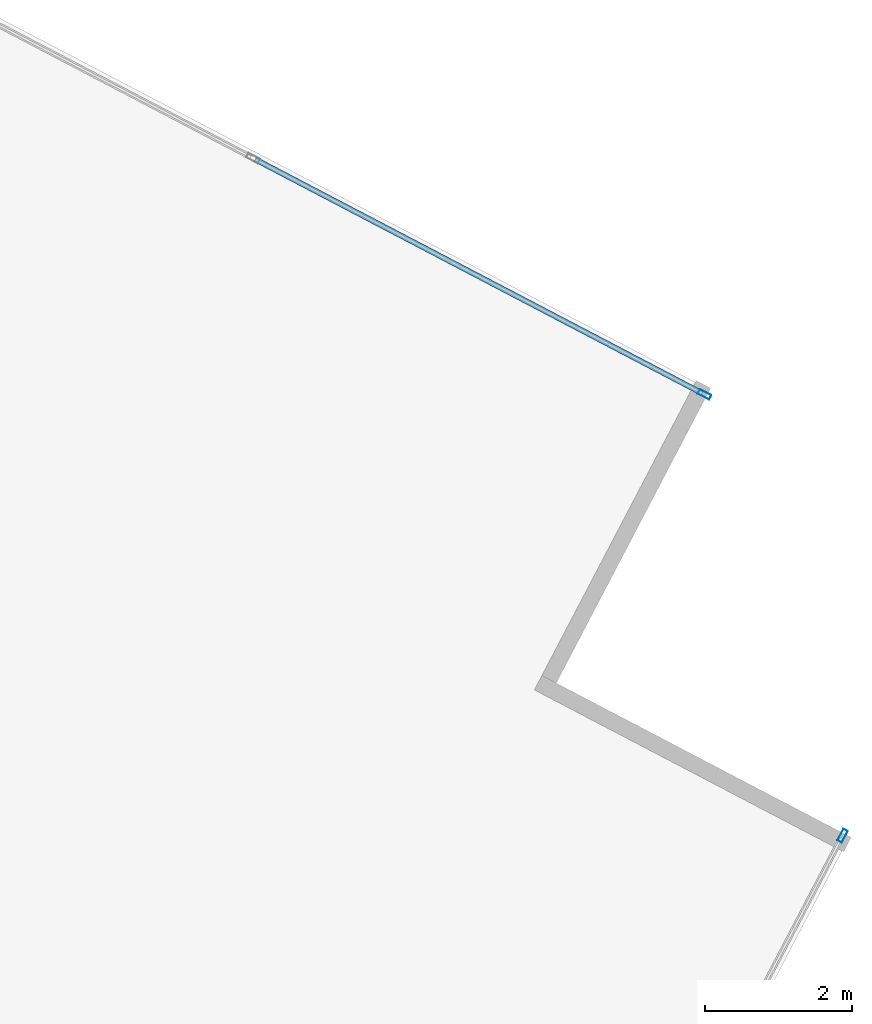
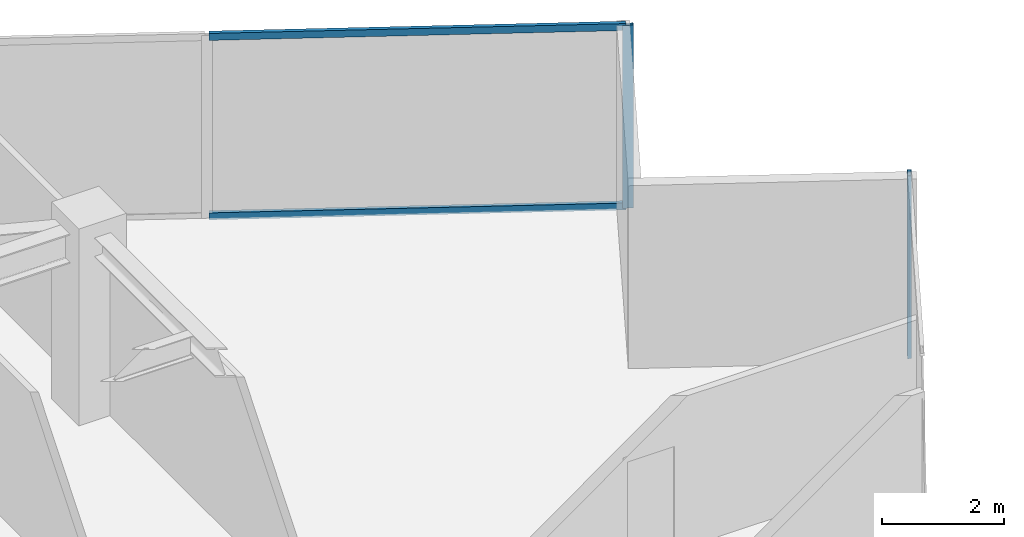
# One storey, part 20 of 27: 4 members, 2 elements without a shape of their own.
"""IFC4 building model written with IfcOpenShell, lengths in metres."""

from ifc_helpers import new_model, si_unit, direction, frame, origin, origin_2d, place, context, subcontext, project, spatial, hollow_rectangle, extrude, source, transform, mapped, material, material_profile, profile_set, type_object, type_shapes, element, aggregate, save


model = new_model("IFC4")

# Units and contexts
model_context = context("Model", 3, precision=1e-05, world=origin(), true_north=direction((0.0, 1.0)))
body_context = subcontext(model_context, "Body", "Model", "MODEL_VIEW")
ifc_project = project(units=[si_unit("LENGTHUNIT", "METRE"), si_unit("AREAUNIT", "SQUARE_METRE"), si_unit("VOLUMEUNIT", "CUBIC_METRE"), si_unit("PLANEANGLEUNIT", "RADIAN"), si_unit("MASSUNIT", "GRAM", prefix="KILO")], contexts=[model_context])

# Site, building, storey
site_placement = place(None, origin())
site = spatial("IfcSite", under=ifc_project, at=site_placement, CompositionType="ELEMENT")
building_placement = place(site_placement, origin())
building = spatial("IfcBuilding", under=site, at=building_placement, Name="Krantzveldt Concourse Tower", CompositionType="ELEMENT")
storey_placement = place(building_placement, frame((0.0, 0.0, 158.050048828125)))
storey = spatial("IfcBuildingStorey", under=building, at=storey_placement, Name="L38", CompositionType="ELEMENT", Elevation=158.050048828125)

# Curtain wall, member
ifc_material = material(Name="Anodised aluminium 6063-T6", Category="aluminium")
curtain_wall_type = type_object("IfcCurtainWallType", Name="CW3", PredefinedType="USERDEFINED", material=ifc_material)
curtain_wall_1_placement = place(storey_placement, origin())
curtain_wall_1 = element("IfcCurtainWall", 1, at=curtain_wall_1_placement, inside=storey, type_object=curtain_wall_type, Name="CW-L38-F07", ObjectType="UNITISED CURTAIN WALL", PredefinedType="USERDEFINED")
ifc_material_profile_1 = material_profile(ifc_material, hollow_rectangle(XDim=0.070068359375, YDim=0.179931640625, WallThickness=0.0048828125, at=origin_2d()), Name="Anodised aluminium 6063-T6", Category="aluminium")
ifc_profile_set_1 = profile_set([ifc_material_profile_1], Name="Anodised aluminium 6063-T6 - ALU-MULL 180x70x5")
member_type_1 = type_object("IfcMemberType", Name="CW-MUL-180", PredefinedType="MULLION", material=ifc_profile_set_1)
shared_shape_1 = source(origin(), body_context, "Body", "SweptSolid", [
    extrude(hollow_rectangle(XDim=0.070068359375, YDim=0.179931640625, WallThickness=0.0048828125, at=origin_2d()), origin(), (0.0, 0.0, 1.0), 3.669921875),
])
type_shapes(member_type_1, [shared_shape_1])
member_1_placement = place(storey_placement, frame((63.37548828125, 31.972412109375, 0.0), z_axis=(0.0, 0.0, 1.0), x_axis=(-0.886001265743, 0.463682819502, 0.0)))
member_1 = element("IfcMember", 2, at=member_1_placement, type_object=member_type_1, Name="CW-Z34 mullion 6", PredefinedType="MULLION", context=body_context, shape_type="MappedRepresentation", body=[
    mapped(shared_shape_1, transform((0.0, 0.0, 0.0), x_axis=(1.0, 0.0, 0.0), y_axis=(0.0, 1.0, 0.0), z_axis=(0.0, 0.0, 1.0), scale=1.0)),
])
aggregate(curtain_wall_1, [member_1])

# Curtain wall, members
curtain_wall_2_placement = place(storey_placement, origin())
curtain_wall_2 = element("IfcCurtainWall", 3, at=curtain_wall_2_placement, inside=storey, type_object=curtain_wall_type, Name="CW-L38-F10", ObjectType="UNITISED CURTAIN WALL", PredefinedType="USERDEFINED")
member_2_placement = place(storey_placement, frame((61.498291015625, 37.971923828125, 0.0), z_axis=(0.0, 0.0, 1.0), x_axis=(-0.463682819502, -0.886001265743, 0.0)))
member_2 = element("IfcMember", 4, at=member_2_placement, type_object=member_type_1, Name="CW-Z34 mullion 1", PredefinedType="MULLION", context=body_context, shape_type="MappedRepresentation", body=[
    mapped(shared_shape_1, transform((0.0, 0.0, 0.0), x_axis=(1.0, 0.0, 0.0), y_axis=(0.0, 1.0, 0.0), z_axis=(0.0, 0.0, 1.0), scale=1.0)),
])
ifc_material_profile_2 = material_profile(ifc_material, hollow_rectangle(XDim=0.070068359375, YDim=0.139892578125, WallThickness=0.0048828125, at=origin_2d()), Name="Anodised aluminium 6063-T6", Category="aluminium")
ifc_profile_set_2 = profile_set([ifc_material_profile_2], Name="Anodised aluminium 6063-T6 - ALU-TRAN 140x70x5")
member_type_2 = type_object("IfcMemberType", Name="CW-TRN-150", PredefinedType="USERDEFINED", material=ifc_profile_set_2)
shared_shape_2 = source(origin(), body_context, "Body", "SweptSolid", [
    extrude(hollow_rectangle(XDim=0.070068359375, YDim=0.139892578125, WallThickness=0.0048828125, at=origin_2d()), origin(), (0.0, 0.0, 1.0), 6.85498046875),
])
type_shapes(member_type_2, [shared_shape_2])
member_3_placement = place(storey_placement, frame((61.46728515625, 37.988037109375, 0.034912109375), z_axis=(-0.886004354252, 0.463676917957, 0.0), x_axis=(-0.463676917957, -0.886004354252, 0.0)))
member_3 = element("IfcMember", 5, at=member_3_placement, type_object=member_type_2, Name="CW-Z34 transom 1.1", ObjectType="TRANSOM", PredefinedType="USERDEFINED", context=body_context, shape_type="MappedRepresentation", body=[
    mapped(shared_shape_2, transform((0.0, 0.0, 0.0), x_axis=(1.0, 0.0, 0.0), y_axis=(0.0, 1.0, 0.0), z_axis=(0.0, 0.0, 1.0), scale=1.0)),
])
member_4_placement = place(storey_placement, frame((61.46728515625, 37.988037109375, 3.635009765625), z_axis=(-0.886004354252, 0.463676917957, 0.0), x_axis=(-0.463676917957, -0.886004354252, 0.0)))
member_4 = element("IfcMember", 6, at=member_4_placement, type_object=member_type_2, Name="CW-Z34 transom 1.2", ObjectType="TRANSOM", PredefinedType="USERDEFINED", context=body_context, shape_type="MappedRepresentation", body=[
    mapped(shared_shape_2, transform((0.0, 0.0, 0.0), x_axis=(1.0, 0.0, 0.0), y_axis=(0.0, 1.0, 0.0), z_axis=(0.0, 0.0, 1.0), scale=1.0)),
])
aggregate(curtain_wall_2, [member_2, member_3, member_4])

save(model, "model.ifc")
